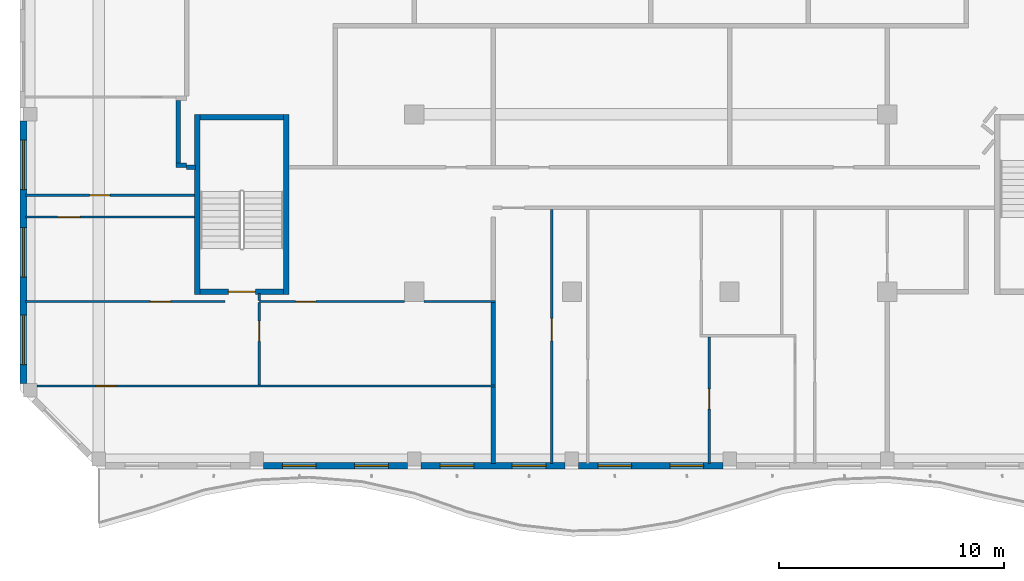
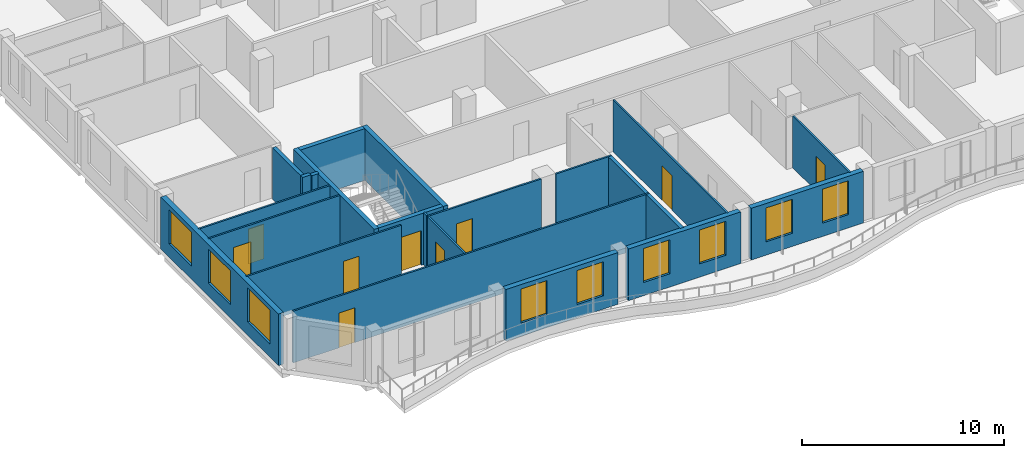
# One storey, part 2 of 17: 23 walls, 9 doors, 9 windows, 18 openings.
"""IFC4 building model written with IfcOpenShell, lengths in metres."""

from ifc_helpers import new_model, si_unit, direction, frame, frame_2d, origin, place, context, subcontext, project, spatial, rectangle, extrude, source, transform, mapped, material, layer, layer_set, type_object, element, fill, save


model = new_model("IFC4")

# Units and contexts
model_context = context("Model", 3, precision=1e-05, world=origin(), true_north=direction((0.0, 1.0)))
body_context = subcontext(model_context, "Body", "Model", "MODEL_VIEW")
ifc_project = project(units=[si_unit("LENGTHUNIT", "METRE"), si_unit("AREAUNIT", "SQUARE_METRE"), si_unit("VOLUMEUNIT", "CUBIC_METRE"), si_unit("PLANEANGLEUNIT", "RADIAN"), si_unit("MASSUNIT", "GRAM", prefix="KILO")], contexts=[model_context])

# Site, building, storey
site_placement = place(None, origin())
site = spatial("IfcSite", under=ifc_project, at=site_placement, CompositionType="ELEMENT")
building_placement = place(site_placement, origin())
building = spatial("IfcBuilding", under=site, at=building_placement, Name="Kilnfold Tower and Market Hall", CompositionType="ELEMENT")
storey_placement = place(building_placement, frame((0.0, 0.0, 305.199951171875)))
storey = spatial("IfcBuildingStorey", under=building, at=storey_placement, Name="L76", CompositionType="ELEMENT", Elevation=305.199951171875)

# Wall, opening, door
ifc_material_1 = material(Name="Gypsum board on steel studs", Category="steel")
ifc_layer_1 = layer(ifc_material_1, 0.10009765625)
ifc_layer_set_1 = layer_set([ifc_layer_1], Name="Gypsum board on steel studs")
wall_type_1 = type_object("IfcWallType", Name="WALL PARTITION 100", PredefinedType="PARTITIONING", material=ifc_layer_set_1)
wall_1_placement = place(storey_placement, frame((-24.75, -19.81201171875, 0.0), z_axis=(0.0, 0.0, 1.0), x_axis=(1.0, 0.0, 0.0)))
wall_1 = element("IfcWall", 1, at=wall_1_placement, inside=storey, type_object=wall_type_1, Name="Partition LY46.24", PredefinedType="PARTITIONING", context=body_context, shape_type="SweptSolid", body=[
    extrude(rectangle(XDim=20.35009765625, YDim=0.10009765625, at=frame_2d((10.175048828125, 0.0))), origin(), (0.0, 0.0, 1.0), 3.1201171875),
])
opening_1_placement = place(wall_1_placement, frame((2.6240234375, 0.0, 0.0)))
opening_1 = element("IfcOpeningElement", 2, at=opening_1_placement, cuts=wall_1, Name="Opening D2", PredefinedType="OPENING", context=body_context, shape_type="SweptSolid", body=[
    extrude(rectangle(XDim=0.89990234375, YDim=2.10009765625, at=frame_2d((0.449951171875, 1.050048828125))), frame((0.0, 0.06005859375, 0.0), z_axis=(0.0, -1.0, 0.0), x_axis=(1.0, 0.0, 0.0)), (0.0, 0.0, 1.0), 0.1201171875),
])
ifc_material_2 = material(Name="Timber veneer door leaf in steel frame", Category="steel")
door_type_1 = type_object("IfcDoorType", Name="DOOR ROOM 900 X2100", OperationType="NOTDEFINED", PredefinedType="DOOR", material=ifc_material_2)
door_1_placement = place(opening_1_placement, origin())
door_1 = element("IfcDoor", 3, at=door_1_placement, inside=storey, type_object=door_type_1, Name="Door D2", OperationType="SINGLE_SWING_LEFT", OverallHeight=2.10009765625, OverallWidth=0.89990234375, PredefinedType="DOOR", context=body_context, shape_type="SweptSolid", body=[
    extrude(rectangle(XDim=0.89990234375, YDim=2.10009765625, at=frame_2d((0.449951171875, 1.050048828125))), frame((0.0, 0.02490234375, 0.0), z_axis=(0.0, -1.0, 0.0), x_axis=(1.0, 0.0, 0.0)), (0.0, 0.0, 1.0), 0.050048828125),
])
fill(opening_1, door_1)

wall_2_placement = place(storey_placement, frame((-14.875, -19.761962890625, 0.0), z_axis=(0.0, 0.0, 1.0), x_axis=(0.0, 1.0, 0.0)))
wall_2 = element("IfcWall", 4, at=wall_2_placement, inside=storey, type_object=wall_type_1, Name="Partition LY46.26", PredefinedType="PARTITIONING", context=body_context, shape_type="SweptSolid", body=[
    extrude(rectangle(XDim=3.64990234375, YDim=0.10009765625, at=frame_2d((1.824951171875, 0.0))), origin(), (0.0, 0.0, 1.0), 3.1201171875),
])
opening_2_placement = place(wall_2_placement, frame((1.93701171875, 0.0, 0.0)))
opening_2 = element("IfcOpeningElement", 5, at=opening_2_placement, cuts=wall_2, Name="Opening D2", PredefinedType="OPENING", context=body_context, shape_type="SweptSolid", body=[
    extrude(rectangle(XDim=0.89990234375, YDim=2.10009765625, at=frame_2d((0.449951171875, 1.050048828125))), frame((0.0, 0.06005859375, 0.0), z_axis=(0.0, -1.0, 0.0), x_axis=(1.0, 0.0, 0.0)), (0.0, 0.0, 1.0), 0.1201171875),
])
door_2_placement = place(opening_2_placement, origin())
door_2 = element("IfcDoor", 6, at=door_2_placement, inside=storey, type_object=door_type_1, Name="Door D2", OperationType="SINGLE_SWING_RIGHT", OverallHeight=2.10009765625, OverallWidth=0.89990234375, PredefinedType="DOOR", context=body_context, shape_type="SweptSolid", body=[
    extrude(rectangle(XDim=0.89990234375, YDim=2.10009765625, at=frame_2d((0.449951171875, 1.050048828125))), frame((0.0, 0.02490234375, 0.0), z_axis=(0.0, -1.0, 0.0), x_axis=(1.0, 0.0, 0.0)), (0.0, 0.0, 1.0), 0.050048828125),
])
fill(opening_2, door_2)

wall_3_placement = place(storey_placement, frame((-25.25, -16.06201171875, 0.0), z_axis=(0.0, 0.0, 1.0), x_axis=(1.0, 0.0, 0.0)))
wall_3 = element("IfcWall", 7, at=wall_3_placement, inside=storey, type_object=wall_type_1, Name="Partition LY46.27", PredefinedType="PARTITIONING", context=body_context, shape_type="SweptSolid", body=[
    extrude(rectangle(XDim=8.85009765625, YDim=0.10009765625, at=frame_2d((4.425048828125, 0.0))), origin(), (0.0, 0.0, 1.0), 3.1201171875),
])
opening_3_placement = place(wall_3_placement, frame((5.534912109375, 0.0, 0.0)))
opening_3 = element("IfcOpeningElement", 8, at=opening_3_placement, cuts=wall_3, Name="Opening D2", PredefinedType="OPENING", context=body_context, shape_type="SweptSolid", body=[
    extrude(rectangle(XDim=0.89990234375, YDim=2.10009765625, at=frame_2d((0.449951171875, 1.050048828125))), frame((0.0, 0.06005859375, 0.0), z_axis=(0.0, -1.0, 0.0), x_axis=(1.0, 0.0, 0.0)), (0.0, 0.0, 1.0), 0.1201171875),
])
door_3_placement = place(opening_3_placement, origin())
door_3 = element("IfcDoor", 9, at=door_3_placement, inside=storey, type_object=door_type_1, Name="Door D2", OperationType="SINGLE_SWING_RIGHT", OverallHeight=2.10009765625, OverallWidth=0.89990234375, PredefinedType="DOOR", context=body_context, shape_type="SweptSolid", body=[
    extrude(rectangle(XDim=0.89990234375, YDim=2.10009765625, at=frame_2d((0.449951171875, 1.050048828125))), frame((0.0, 0.02490234375, 0.0), z_axis=(0.0, -1.0, 0.0), x_axis=(1.0, 0.0, 0.0)), (0.0, 0.0, 1.0), 0.050048828125),
])
fill(opening_3, door_3)

# Wall
wall_4_placement = place(storey_placement, frame((-7.574951171875, -16.06201171875, 0.0), z_axis=(0.0, 0.0, 1.0), x_axis=(1.0, 0.0, 0.0)))
element("IfcWall", 10, at=wall_4_placement, inside=storey, type_object=wall_type_1, Name="Partition LY46.28", PredefinedType="PARTITIONING", context=body_context, shape_type="SweptSolid", body=[
    extrude(rectangle(XDim=3.175048828125, YDim=0.10009765625, at=frame_2d((1.58740234375, 0.0))), origin(), (0.0, 0.0, 1.0), 3.1201171875),
])

# Wall, opening, door
wall_5_placement = place(storey_placement, frame((-14.875, -16.06201171875, 0.0), z_axis=(0.0, 0.0, 1.0), x_axis=(1.0, 0.0, 0.0)))
wall_5 = element("IfcWall", 11, at=wall_5_placement, inside=storey, type_object=wall_type_1, Name="Partition LY46.29", PredefinedType="PARTITIONING", context=body_context, shape_type="SweptSolid", body=[
    extrude(rectangle(XDim=6.449951171875, YDim=0.10009765625, at=frame_2d((3.22509765625, 0.0))), origin(), (0.0, 0.0, 1.0), 3.1201171875),
])
opening_4_placement = place(wall_5_placement, frame((1.614013671875, 0.0, 0.0)))
opening_4 = element("IfcOpeningElement", 12, at=opening_4_placement, cuts=wall_5, Name="Opening D2", PredefinedType="OPENING", context=body_context, shape_type="SweptSolid", body=[
    extrude(rectangle(XDim=0.89990234375, YDim=2.10009765625, at=frame_2d((0.449951171875, 1.050048828125))), frame((0.0, 0.06005859375, 0.0), z_axis=(0.0, -1.0, 0.0), x_axis=(1.0, 0.0, 0.0)), (0.0, 0.0, 1.0), 0.1201171875),
])
door_4_placement = place(opening_4_placement, origin())
door_4 = element("IfcDoor", 13, at=door_4_placement, inside=storey, type_object=door_type_1, Name="Door D2", OperationType="SINGLE_SWING_RIGHT", OverallHeight=2.10009765625, OverallWidth=0.89990234375, PredefinedType="DOOR", context=body_context, shape_type="SweptSolid", body=[
    extrude(rectangle(XDim=0.89990234375, YDim=2.10009765625, at=frame_2d((0.449951171875, 1.050048828125))), frame((0.0, 0.02490234375, 0.0), z_axis=(0.0, -1.0, 0.0), x_axis=(1.0, 0.0, 0.0)), (0.0, 0.0, 1.0), 0.050048828125),
])
fill(opening_4, door_4)

# Wall
wall_6_placement = place(storey_placement, frame((-14.875, -16.011962890625, 0.0), z_axis=(0.0, 0.0, 1.0), x_axis=(0.0, 1.0, 0.0)))
element("IfcWall", 14, at=wall_6_placement, inside=storey, type_object=wall_type_1, Name="Partition LY46.31", PredefinedType="PARTITIONING", context=body_context, shape_type="SweptSolid", body=[
    extrude(rectangle(XDim=0.31201171875, YDim=0.10009765625, at=frame_2d((0.156005859375, 0.0))), origin(), (0.0, 0.0, 1.0), 3.1201171875),
])

# Wall, opening, door
wall_7_placement = place(storey_placement, frame((-17.75, -12.31201171875, 0.0), z_axis=(0.0, 0.0, 1.0), x_axis=(-1.0, 0.0, 0.0)))
wall_7 = element("IfcWall", 15, at=wall_7_placement, inside=storey, type_object=wall_type_1, Name="Partition LY46.32", PredefinedType="PARTITIONING", context=body_context, shape_type="SweptSolid", body=[
    extrude(rectangle(XDim=7.5, YDim=0.10009765625, at=frame_2d((3.75, 0.0))), origin(), (0.0, 0.0, 1.0), 3.1201171875),
])
opening_5_placement = place(wall_7_placement, frame((5.080078125, 0.0, 0.0)))
opening_5 = element("IfcOpeningElement", 16, at=opening_5_placement, cuts=wall_7, Name="Opening D1", PredefinedType="OPENING", context=body_context, shape_type="SweptSolid", body=[
    extrude(rectangle(XDim=1.0, YDim=2.10009765625, at=frame_2d((0.5, 1.050048828125))), frame((0.0, 0.06005859375, 0.0), z_axis=(0.0, -1.0, 0.0), x_axis=(1.0, 0.0, 0.0)), (0.0, 0.0, 1.0), 0.1201171875),
])
ifc_material_3 = material(Name="Timber veneer door leaf in steel frame", Category="steel")
door_type_2 = type_object("IfcDoorType", Name="DOOR ENTRY 1000 X2100", OperationType="NOTDEFINED", PredefinedType="DOOR", material=ifc_material_3)
door_5_placement = place(opening_5_placement, origin())
door_5 = element("IfcDoor", 17, at=door_5_placement, inside=storey, type_object=door_type_2, Name="Door D1", OperationType="SINGLE_SWING_RIGHT", OverallHeight=2.10009765625, OverallWidth=1.0, PredefinedType="DOOR", context=body_context, shape_type="SweptSolid", body=[
    extrude(rectangle(XDim=1.0, YDim=2.10009765625, at=frame_2d((0.5, 1.050048828125))), frame((0.0, 0.02490234375, 0.0), z_axis=(0.0, -1.0, 0.0), x_axis=(1.0, 0.0, 0.0)), (0.0, 0.0, 1.0), 0.050048828125),
])
fill(opening_5, door_5)

wall_8_placement = place(storey_placement, frame((-17.75, -11.342041015625, 0.0), z_axis=(0.0, 0.0, 1.0), x_axis=(-1.0, 0.0, 0.0)))
wall_8 = element("IfcWall", 18, at=wall_8_placement, inside=storey, type_object=wall_type_1, Name="Partition LY46.34", PredefinedType="PARTITIONING", context=body_context, shape_type="SweptSolid", body=[
    extrude(rectangle(XDim=7.5, YDim=0.10009765625, at=frame_2d((3.75, 0.0))), origin(), (0.0, 0.0, 1.0), 3.1201171875),
])
opening_6_placement = place(wall_8_placement, frame((3.757080078125, 0.0, 0.0)))
opening_6 = element("IfcOpeningElement", 19, at=opening_6_placement, cuts=wall_8, Name="Opening D2", PredefinedType="OPENING", context=body_context, shape_type="SweptSolid", body=[
    extrude(rectangle(XDim=0.89990234375, YDim=2.10009765625, at=frame_2d((0.449951171875, 1.050048828125))), frame((0.0, 0.06005859375, 0.0), z_axis=(0.0, -1.0, 0.0), x_axis=(1.0, 0.0, 0.0)), (0.0, 0.0, 1.0), 0.1201171875),
])
door_6_placement = place(opening_6_placement, origin())
door_6 = element("IfcDoor", 20, at=door_6_placement, inside=storey, type_object=door_type_1, Name="Door D2", OperationType="SINGLE_SWING_LEFT", OverallHeight=2.10009765625, OverallWidth=0.89990234375, PredefinedType="DOOR", context=body_context, shape_type="SweptSolid", body=[
    extrude(rectangle(XDim=0.89990234375, YDim=2.10009765625, at=frame_2d((0.449951171875, 1.050048828125))), frame((0.0, 0.02490234375, 0.0), z_axis=(0.0, -1.0, 0.0), x_axis=(1.0, 0.0, 0.0)), (0.0, 0.0, 1.0), 0.050048828125),
])
fill(opening_6, door_6)

wall_9_placement = place(storey_placement, frame((-1.89990234375, -23.25, 0.0), z_axis=(0.0, 0.0, 1.0), x_axis=(0.0, 1.0, 0.0)))
wall_9 = element("IfcWall", 21, at=wall_9_placement, inside=storey, type_object=wall_type_1, Name="Partition LY46.46", PredefinedType="PARTITIONING", context=body_context, shape_type="SweptSolid", body=[
    extrude(rectangle(XDim=11.27294921875, YDim=0.10009765625, at=frame_2d((5.636474609375, 0.0))), origin(), (0.0, 0.0, 1.0), 3.1201171875),
])
opening_7_placement = place(wall_9_placement, frame((5.43896484375, 0.0, 0.0)))
opening_7 = element("IfcOpeningElement", 22, at=opening_7_placement, cuts=wall_9, Name="Opening D1", PredefinedType="OPENING", context=body_context, shape_type="SweptSolid", body=[
    extrude(rectangle(XDim=1.0, YDim=2.10009765625, at=frame_2d((0.5, 1.050048828125))), frame((0.0, 0.06005859375, 0.0), z_axis=(0.0, -1.0, 0.0), x_axis=(1.0, 0.0, 0.0)), (0.0, 0.0, 1.0), 0.1201171875),
])
door_7_placement = place(opening_7_placement, origin())
door_7 = element("IfcDoor", 23, at=door_7_placement, inside=storey, type_object=door_type_2, Name="Door D1", OperationType="SINGLE_SWING_LEFT", OverallHeight=2.10009765625, OverallWidth=1.0, PredefinedType="DOOR", context=body_context, shape_type="SweptSolid", body=[
    extrude(rectangle(XDim=1.0, YDim=2.10009765625, at=frame_2d((0.5, 1.050048828125))), frame((0.0, 0.02490234375, 0.0), z_axis=(0.0, -1.0, 0.0), x_axis=(1.0, 0.0, 0.0)), (0.0, 0.0, 1.0), 0.050048828125),
])
fill(opening_7, door_7)

wall_10_placement = place(storey_placement, frame((5.10009765625, -23.25, 0.0), z_axis=(0.0, 0.0, 1.0), x_axis=(0.0, 1.0, 0.0)))
wall_10 = element("IfcWall", 24, at=wall_10_placement, inside=storey, type_object=wall_type_1, Name="Partition LY46.48", PredefinedType="PARTITIONING", context=body_context, shape_type="SweptSolid", body=[
    extrude(rectangle(XDim=5.6240234375, YDim=0.10009765625, at=frame_2d((2.81201171875, 0.0))), origin(), (0.0, 0.0, 1.0), 3.1201171875),
])
opening_8_placement = place(wall_10_placement, frame((2.412109375, 0.0, 0.0)))
opening_8 = element("IfcOpeningElement", 25, at=opening_8_placement, cuts=wall_10, Name="Opening D2", PredefinedType="OPENING", context=body_context, shape_type="SweptSolid", body=[
    extrude(rectangle(XDim=0.89990234375, YDim=2.10009765625, at=frame_2d((0.449951171875, 1.050048828125))), frame((0.0, 0.06005859375, 0.0), z_axis=(0.0, -1.0, 0.0), x_axis=(1.0, 0.0, 0.0)), (0.0, 0.0, 1.0), 0.1201171875),
])
door_8_placement = place(opening_8_placement, origin())
door_8 = element("IfcDoor", 26, at=door_8_placement, inside=storey, type_object=door_type_1, Name="Door D2", OperationType="SINGLE_SWING_LEFT", OverallHeight=2.10009765625, OverallWidth=0.89990234375, PredefinedType="DOOR", context=body_context, shape_type="SweptSolid", body=[
    extrude(rectangle(XDim=0.89990234375, YDim=2.10009765625, at=frame_2d((0.449951171875, 1.050048828125))), frame((0.0, 0.02490234375, 0.0), z_axis=(0.0, -1.0, 0.0), x_axis=(1.0, 0.0, 0.0)), (0.0, 0.0, 1.0), 0.050048828125),
])
fill(opening_8, door_8)

# Walls
ifc_material_4 = material(Name="Gypsum board on steel studs", Category="steel")
ifc_layer_2 = layer(ifc_material_4, 0.199951171875)
ifc_layer_set_2 = layer_set([ifc_layer_2], Name="Gypsum board on steel studs")
wall_type_2 = type_object("IfcWallType", Name="WALL PARTY 200", PredefinedType="PARTITIONING", material=ifc_layer_set_2)
wall_11_placement = place(storey_placement, frame((-4.5, -23.25, 0.0), z_axis=(0.0, 0.0, 1.0), x_axis=(0.0, 1.0, 0.0)))
element("IfcWall", 27, at=wall_11_placement, inside=storey, type_object=wall_type_2, Name="Partition LY46.25", PredefinedType="PARTITIONING", context=body_context, shape_type="SweptSolid", body=[
    extrude(rectangle(XDim=3.387939453125, YDim=0.199951171875, at=frame_2d((1.69384765625, 0.0))), origin(), (0.0, 0.0, 1.0), 3.1201171875),
])
wall_12_placement = place(storey_placement, frame((-4.5, -19.761962890625, 0.0), z_axis=(0.0, 0.0, 1.0), x_axis=(0.0, 1.0, 0.0)))
element("IfcWall", 28, at=wall_12_placement, inside=storey, type_object=wall_type_2, Name="Partition LY46.30", PredefinedType="PARTITIONING", context=body_context, shape_type="SweptSolid", body=[
    extrude(rectangle(XDim=3.64990234375, YDim=0.199951171875, at=frame_2d((1.824951171875, 0.0))), origin(), (0.0, 0.0, 1.0), 3.1201171875),
])
wall_13_placement = place(storey_placement, frame((-18.48193359375, -9.902099609375, 0.0), z_axis=(0.0, 0.0, 1.0), x_axis=(0.0, 1.0, 0.0)))
element("IfcWall", 29, at=wall_13_placement, inside=storey, type_object=wall_type_2, Name="Partition LY46.37", PredefinedType="PARTITIONING", context=body_context, shape_type="SweptSolid", body=[
    extrude(rectangle(XDim=2.773193359375, YDim=0.199951171875, at=frame_2d((1.38671875, 0.0))), origin(), (0.0, 0.0, 1.0), 3.1201171875),
])
wall_14_placement = place(storey_placement, frame((-18.10009765625, -10.001953125, 0.0), z_axis=(0.0, 0.0, 1.0), x_axis=(-1.0, 0.0, 0.0)))
element("IfcWall", 30, at=wall_14_placement, inside=storey, type_object=wall_type_2, Name="Partition LY46.38", PredefinedType="PARTITIONING", context=body_context, shape_type="SweptSolid", body=[
    extrude(rectangle(XDim=0.48193359375, YDim=0.199951171875, at=frame_2d((0.240966796875, 0.0))), origin(), (0.0, 0.0, 1.0), 3.1201171875),
])
wall_15_placement = place(storey_placement, frame((-17.699951171875, -10.10009765625, 0.0), z_axis=(0.0, 0.0, 1.0), x_axis=(-1.0, 0.0, 0.0)))
element("IfcWall", 31, at=wall_15_placement, inside=storey, type_object=wall_type_2, Name="Partition LY46.39", PredefinedType="PARTITIONING", context=body_context, shape_type="SweptSolid", body=[
    extrude(rectangle(XDim=0.400146484375, YDim=0.199951171875, at=frame_2d((0.2001953125, 0.0))), origin(), (0.0, 0.0, 1.0), 3.1201171875),
])

# Wall, opening, door
ifc_material_5 = material(Name="Concrete C50", Category="concrete")
ifc_layer_3 = layer(ifc_material_5, 0.25)
ifc_layer_set_3 = layer_set([ifc_layer_3], Name="Concrete C50")
wall_type_3 = type_object("IfcWallType", Name="CORE WALL 250 C50", PredefinedType="SHEAR", material=ifc_layer_set_3)
shared_shape_1 = source(origin(), body_context, "Body", "SweptSolid", [
    extrude(rectangle(XDim=3.699951171875, YDim=0.25, at=frame_2d((1.85009765625, 0.0))), origin(), (0.0, 0.0, 1.0), 3.1201171875),
])
wall_16_placement = place(storey_placement, frame((-17.5, -15.625, 0.0), z_axis=(0.0, 0.0, 1.0), x_axis=(1.0, 0.0, 0.0)))
wall_16 = element("IfcWall", 32, at=wall_16_placement, inside=storey, type_object=wall_type_3, Name="Stair enclosure ST3", PredefinedType="SHEAR", context=body_context, shape_type="MappedRepresentation", body=[
    mapped(shared_shape_1, transform((0.0, 0.0, 0.0))),
])
opening_9_placement = place(wall_16_placement, frame((1.25, 0.0, 0.0)))
opening_9 = element("IfcOpeningElement", 33, at=opening_9_placement, cuts=wall_16, Name="Opening SD1", PredefinedType="OPENING", context=body_context, shape_type="SweptSolid", body=[
    extrude(rectangle(XDim=1.199951171875, YDim=2.10009765625, at=frame_2d((0.60009765625, 1.050048828125))), frame((0.0, 0.135009765625, 0.0), z_axis=(0.0, -1.0, 0.0), x_axis=(1.0, 0.0, 0.0)), (0.0, 0.0, 1.0), 0.27001953125),
])
ifc_material_6 = material(Name="Steel door set with fire-resisting leaf", Category="steel")
door_type_3 = type_object("IfcDoorType", Name="STAIR FLOOR DOOR 1200X2100", OperationType="NOTDEFINED", PredefinedType="DOOR", material=ifc_material_6)
door_9_placement = place(opening_9_placement, origin())
door_9 = element("IfcDoor", 34, at=door_9_placement, inside=storey, type_object=door_type_3, Name="Exit stair ST3 door", OperationType="DOUBLE_DOOR_SINGLE_SWING", OverallHeight=2.10009765625, OverallWidth=1.199951171875, PredefinedType="DOOR", context=body_context, shape_type="SweptSolid", body=[
    extrude(rectangle(XDim=1.199951171875, YDim=2.10009765625, at=frame_2d((0.60009765625, 1.050048828125))), frame((0.0, 0.02490234375, 0.0), z_axis=(0.0, -1.0, 0.0), x_axis=(1.0, 0.0, 0.0)), (0.0, 0.0, 1.0), 0.050048828125),
])
fill(opening_9, door_9)

# Walls
wall_17_placement = place(storey_placement, frame((-17.5, -7.875, 0.0), z_axis=(0.0, 0.0, 1.0), x_axis=(1.0, 0.0, 0.0)))
element("IfcWall", 35, at=wall_17_placement, inside=storey, type_object=wall_type_3, Name="Stair enclosure ST3", PredefinedType="SHEAR", context=body_context, shape_type="MappedRepresentation", body=[
    mapped(shared_shape_1, transform((0.0, 0.0, 0.0))),
])
shared_shape_2 = source(origin(), body_context, "Body", "SweptSolid", [
    extrude(rectangle(XDim=8.0, YDim=0.25, at=frame_2d((4.0, 0.0))), origin(), (0.0, 0.0, 1.0), 3.1201171875),
])
for number, where, z_axis, x_axis, name in (
    (36, (-17.625, -15.75, 0.0), (0.0, 0.0, 1.0), (0.0, 1.0, 0.0), "Stair enclosure ST3"),
    (37, (-13.675048828125, -15.75, 0.0), (0.0, 0.0, 1.0), (0.0, 1.0, 0.0), "Stair enclosure ST3"),
):
    element("IfcWall", number, at=place(storey_placement, frame(where, z_axis=z_axis, x_axis=x_axis)), inside=storey, type_object=wall_type_3, Name=name, PredefinedType="SHEAR", context=body_context, shape_type="MappedRepresentation", body=[
        mapped(shared_shape_2, transform((0.0, 0.0, 0.0))),
    ])

# Wall, openings, windows
ifc_material_7 = material(Name="Precast concrete C50/60", Category="concrete")
ifc_layer_4 = layer(ifc_material_7, 0.300048828125)
ifc_layer_set_4 = layer_set([ifc_layer_4], Name="Precast concrete C50/60")
wall_type_4 = type_object("IfcWallType", Name="PRECAST WALL 300", PredefinedType="SOLIDWALL", material=ifc_layer_set_4)
shared_shape_3 = source(origin(), body_context, "Body", "SweptSolid", [
    extrude(rectangle(XDim=6.39990234375, YDim=0.300048828125, at=frame_2d((3.199951171875, 0.0))), origin(), (0.0, 0.0, 1.0), 3.1201171875),
])
wall_18_placement = place(storey_placement, frame((-14.699951171875, -23.35009765625, 0.0), z_axis=(0.0, 0.0, 1.0), x_axis=(1.0, 0.0, 0.0)))
wall_18 = element("IfcWall", 38, at=wall_18_placement, inside=storey, type_object=wall_type_4, Name="External wall L76 S", PredefinedType="SOLIDWALL", context=body_context, shape_type="MappedRepresentation", body=[
    mapped(shared_shape_3, transform((0.0, 0.0, 0.0))),
])
opening_10_placement = place(wall_18_placement, frame((0.85009765625, 0.0, 0.800048828125)))
opening_10 = element("IfcOpeningElement", 39, at=opening_10_placement, cuts=wall_18, Name="Opening W5", PredefinedType="OPENING", context=body_context, shape_type="SweptSolid", body=[
    extrude(rectangle(XDim=1.5, YDim=2.050048828125, at=frame_2d((0.75, 1.02490234375))), frame((0.0, 0.16015625, 0.0), z_axis=(0.0, -1.0, 0.0), x_axis=(1.0, 0.0, 0.0)), (0.0, 0.0, 1.0), 0.320068359375),
])
opening_11_placement = place(wall_18_placement, frame((4.050048828125, 0.0, 0.800048828125)))
opening_11 = element("IfcOpeningElement", 40, at=opening_11_placement, cuts=wall_18, Name="Opening W5", PredefinedType="OPENING", context=body_context, shape_type="SweptSolid", body=[
    extrude(rectangle(XDim=1.5, YDim=2.050048828125, at=frame_2d((0.75, 1.02490234375))), frame((0.0, 0.16015625, 0.0), z_axis=(0.0, -1.0, 0.0), x_axis=(1.0, 0.0, 0.0)), (0.0, 0.0, 1.0), 0.320068359375),
])
ifc_material_8 = material(Name="Aluminium frame and double glazing", Category="aluminium")
window_type_1 = type_object("IfcWindowType", Name="WINDOW W5 1500X2050", PartitioningType="SINGLE_PANEL", PredefinedType="WINDOW", material=ifc_material_8)
window_1_placement = place(opening_10_placement, origin())
window_1 = element("IfcWindow", 41, at=window_1_placement, inside=storey, type_object=window_type_1, Name="Window W5 L76 S-1", OverallHeight=2.050048828125, OverallWidth=1.5, PartitioningType="SINGLE_PANEL", PredefinedType="WINDOW", context=body_context, shape_type="SweptSolid", body=[
    extrude(rectangle(XDim=1.5, YDim=2.050048828125, at=frame_2d((0.75, 1.02490234375))), frame((0.0, 0.030029296875, 0.0), z_axis=(0.0, -1.0, 0.0), x_axis=(1.0, 0.0, 0.0)), (0.0, 0.0, 1.0), 0.06005859375),
])
fill(opening_10, window_1)
window_2_placement = place(opening_11_placement, origin())
window_2 = element("IfcWindow", 42, at=window_2_placement, inside=storey, type_object=window_type_1, Name="Window W5 L76 S-2", OverallHeight=2.050048828125, OverallWidth=1.5, PartitioningType="SINGLE_PANEL", PredefinedType="WINDOW", context=body_context, shape_type="SweptSolid", body=[
    extrude(rectangle(XDim=1.5, YDim=2.050048828125, at=frame_2d((0.75, 1.02490234375))), frame((0.0, 0.030029296875, 0.0), z_axis=(0.0, -1.0, 0.0), x_axis=(1.0, 0.0, 0.0)), (0.0, 0.0, 1.0), 0.06005859375),
])
fill(opening_11, window_2)

wall_19_placement = place(storey_placement, frame((-7.699951171875, -23.35009765625, 0.0), z_axis=(0.0, 0.0, 1.0), x_axis=(1.0, 0.0, 0.0)))
wall_19 = element("IfcWall", 43, at=wall_19_placement, inside=storey, type_object=wall_type_4, Name="External wall L76 S", PredefinedType="SOLIDWALL", context=body_context, shape_type="MappedRepresentation", body=[
    mapped(shared_shape_3, transform((0.0, 0.0, 0.0))),
])
opening_12_placement = place(wall_19_placement, frame((0.85009765625, 0.0, 0.800048828125)))
opening_12 = element("IfcOpeningElement", 44, at=opening_12_placement, cuts=wall_19, Name="Opening W5", PredefinedType="OPENING", context=body_context, shape_type="SweptSolid", body=[
    extrude(rectangle(XDim=1.5, YDim=2.050048828125, at=frame_2d((0.75, 1.02490234375))), frame((0.0, 0.16015625, 0.0), z_axis=(0.0, -1.0, 0.0), x_axis=(1.0, 0.0, 0.0)), (0.0, 0.0, 1.0), 0.320068359375),
])
opening_13_placement = place(wall_19_placement, frame((4.050048828125, 0.0, 0.800048828125)))
opening_13 = element("IfcOpeningElement", 45, at=opening_13_placement, cuts=wall_19, Name="Opening W5", PredefinedType="OPENING", context=body_context, shape_type="SweptSolid", body=[
    extrude(rectangle(XDim=1.5, YDim=2.050048828125, at=frame_2d((0.75, 1.02490234375))), frame((0.0, 0.16015625, 0.0), z_axis=(0.0, -1.0, 0.0), x_axis=(1.0, 0.0, 0.0)), (0.0, 0.0, 1.0), 0.320068359375),
])
window_3_placement = place(opening_12_placement, origin())
window_3 = element("IfcWindow", 46, at=window_3_placement, inside=storey, type_object=window_type_1, Name="Window W5 L76 S-1", OverallHeight=2.050048828125, OverallWidth=1.5, PartitioningType="SINGLE_PANEL", PredefinedType="WINDOW", context=body_context, shape_type="SweptSolid", body=[
    extrude(rectangle(XDim=1.5, YDim=2.050048828125, at=frame_2d((0.75, 1.02490234375))), frame((0.0, 0.030029296875, 0.0), z_axis=(0.0, -1.0, 0.0), x_axis=(1.0, 0.0, 0.0)), (0.0, 0.0, 1.0), 0.06005859375),
])
fill(opening_12, window_3)
window_4_placement = place(opening_13_placement, origin())
window_4 = element("IfcWindow", 47, at=window_4_placement, inside=storey, type_object=window_type_1, Name="Window W5 L76 S-2", OverallHeight=2.050048828125, OverallWidth=1.5, PartitioningType="SINGLE_PANEL", PredefinedType="WINDOW", context=body_context, shape_type="SweptSolid", body=[
    extrude(rectangle(XDim=1.5, YDim=2.050048828125, at=frame_2d((0.75, 1.02490234375))), frame((0.0, 0.030029296875, 0.0), z_axis=(0.0, -1.0, 0.0), x_axis=(1.0, 0.0, 0.0)), (0.0, 0.0, 1.0), 0.06005859375),
])
fill(opening_13, window_4)

wall_20_placement = place(storey_placement, frame((-0.699951171875, -23.35009765625, 0.0), z_axis=(0.0, 0.0, 1.0), x_axis=(1.0, 0.0, 0.0)))
wall_20 = element("IfcWall", 48, at=wall_20_placement, inside=storey, type_object=wall_type_4, Name="External wall L76 S", PredefinedType="SOLIDWALL", context=body_context, shape_type="MappedRepresentation", body=[
    mapped(shared_shape_3, transform((0.0, 0.0, 0.0))),
])
opening_14_placement = place(wall_20_placement, frame((0.85009765625, 0.0, 0.800048828125)))
opening_14 = element("IfcOpeningElement", 49, at=opening_14_placement, cuts=wall_20, Name="Opening W5", PredefinedType="OPENING", context=body_context, shape_type="SweptSolid", body=[
    extrude(rectangle(XDim=1.5, YDim=2.050048828125, at=frame_2d((0.75, 1.02490234375))), frame((0.0, 0.16015625, 0.0), z_axis=(0.0, -1.0, 0.0), x_axis=(1.0, 0.0, 0.0)), (0.0, 0.0, 1.0), 0.320068359375),
])
opening_15_placement = place(wall_20_placement, frame((4.050048828125, 0.0, 0.800048828125)))
opening_15 = element("IfcOpeningElement", 50, at=opening_15_placement, cuts=wall_20, Name="Opening W5", PredefinedType="OPENING", context=body_context, shape_type="SweptSolid", body=[
    extrude(rectangle(XDim=1.5, YDim=2.050048828125, at=frame_2d((0.75, 1.02490234375))), frame((0.0, 0.16015625, 0.0), z_axis=(0.0, -1.0, 0.0), x_axis=(1.0, 0.0, 0.0)), (0.0, 0.0, 1.0), 0.320068359375),
])
window_5_placement = place(opening_14_placement, origin())
window_5 = element("IfcWindow", 51, at=window_5_placement, inside=storey, type_object=window_type_1, Name="Window W5 L76 S-1", OverallHeight=2.050048828125, OverallWidth=1.5, PartitioningType="SINGLE_PANEL", PredefinedType="WINDOW", context=body_context, shape_type="SweptSolid", body=[
    extrude(rectangle(XDim=1.5, YDim=2.050048828125, at=frame_2d((0.75, 1.02490234375))), frame((0.0, 0.030029296875, 0.0), z_axis=(0.0, -1.0, 0.0), x_axis=(1.0, 0.0, 0.0)), (0.0, 0.0, 1.0), 0.06005859375),
])
fill(opening_14, window_5)
window_6_placement = place(opening_15_placement, origin())
window_6 = element("IfcWindow", 52, at=window_6_placement, inside=storey, type_object=window_type_1, Name="Window W5 L76 S-2", OverallHeight=2.050048828125, OverallWidth=1.5, PartitioningType="SINGLE_PANEL", PredefinedType="WINDOW", context=body_context, shape_type="SweptSolid", body=[
    extrude(rectangle(XDim=1.5, YDim=2.050048828125, at=frame_2d((0.75, 1.02490234375))), frame((0.0, 0.030029296875, 0.0), z_axis=(0.0, -1.0, 0.0), x_axis=(1.0, 0.0, 0.0)), (0.0, 0.0, 1.0), 0.06005859375),
])
fill(opening_15, window_6)

shared_shape_4 = source(origin(), body_context, "Body", "SweptSolid", [
    extrude(rectangle(XDim=11.64990234375, YDim=0.300048828125, at=frame_2d((5.824951171875, 0.0))), origin(), (0.0, 0.0, 1.0), 3.1201171875),
])
wall_21_placement = place(storey_placement, frame((-25.35009765625, -8.050048828125, 0.0), z_axis=(0.0, 0.0, 1.0), x_axis=(0.0, -1.0, 0.0)))
wall_21 = element("IfcWall", 53, at=wall_21_placement, inside=storey, type_object=wall_type_4, Name="External wall L76 W", PredefinedType="SOLIDWALL", context=body_context, shape_type="MappedRepresentation", body=[
    mapped(shared_shape_4, transform((0.0, 0.0, 0.0))),
])
opening_16_placement = place(wall_21_placement, frame((0.841552734375, 0.0, 0.800048828125)))
opening_16 = element("IfcOpeningElement", 54, at=opening_16_placement, cuts=wall_21, Name="Opening W3", PredefinedType="OPENING", context=body_context, shape_type="SweptSolid", body=[
    extrude(rectangle(XDim=2.199951171875, YDim=2.050048828125, at=frame_2d((1.10009765625, 1.02490234375))), frame((0.0, 0.16015625, 0.0), z_axis=(0.0, -1.0, 0.0), x_axis=(1.0, 0.0, 0.0)), (0.0, 0.0, 1.0), 0.320068359375),
])
opening_17_placement = place(wall_21_placement, frame((4.72509765625, 0.0, 0.800048828125)))
opening_17 = element("IfcOpeningElement", 55, at=opening_17_placement, cuts=wall_21, Name="Opening W3", PredefinedType="OPENING", context=body_context, shape_type="SweptSolid", body=[
    extrude(rectangle(XDim=2.199951171875, YDim=2.050048828125, at=frame_2d((1.10009765625, 1.02490234375))), frame((0.0, 0.16015625, 0.0), z_axis=(0.0, -1.0, 0.0), x_axis=(1.0, 0.0, 0.0)), (0.0, 0.0, 1.0), 0.320068359375),
])
opening_18_placement = place(wall_21_placement, frame((8.6083984375, 0.0, 0.800048828125)))
opening_18 = element("IfcOpeningElement", 56, at=opening_18_placement, cuts=wall_21, Name="Opening W3", PredefinedType="OPENING", context=body_context, shape_type="SweptSolid", body=[
    extrude(rectangle(XDim=2.199951171875, YDim=2.050048828125, at=frame_2d((1.10009765625, 1.02490234375))), frame((0.0, 0.16015625, 0.0), z_axis=(0.0, -1.0, 0.0), x_axis=(1.0, 0.0, 0.0)), (0.0, 0.0, 1.0), 0.320068359375),
])
ifc_material_9 = material(Name="Aluminium frame and double glazing", Category="aluminium")
window_type_2 = type_object("IfcWindowType", Name="WINDOW W3 2200X2050", PartitioningType="SINGLE_PANEL", PredefinedType="WINDOW", material=ifc_material_9)
window_7_placement = place(opening_16_placement, origin())
window_7 = element("IfcWindow", 57, at=window_7_placement, inside=storey, type_object=window_type_2, Name="Window W3 L76 W-1", OverallHeight=2.050048828125, OverallWidth=2.199951171875, PartitioningType="SINGLE_PANEL", PredefinedType="WINDOW", context=body_context, shape_type="SweptSolid", body=[
    extrude(rectangle(XDim=2.199951171875, YDim=2.050048828125, at=frame_2d((1.10009765625, 1.02490234375))), frame((0.0, 0.030029296875, 0.0), z_axis=(0.0, -1.0, 0.0), x_axis=(1.0, 0.0, 0.0)), (0.0, 0.0, 1.0), 0.06005859375),
])
fill(opening_16, window_7)
window_8_placement = place(opening_17_placement, origin())
window_8 = element("IfcWindow", 58, at=window_8_placement, inside=storey, type_object=window_type_2, Name="Window W3 L76 W-2", OverallHeight=2.050048828125, OverallWidth=2.199951171875, PartitioningType="SINGLE_PANEL", PredefinedType="WINDOW", context=body_context, shape_type="SweptSolid", body=[
    extrude(rectangle(XDim=2.199951171875, YDim=2.050048828125, at=frame_2d((1.10009765625, 1.02490234375))), frame((0.0, 0.030029296875, 0.0), z_axis=(0.0, -1.0, 0.0), x_axis=(1.0, 0.0, 0.0)), (0.0, 0.0, 1.0), 0.06005859375),
])
fill(opening_17, window_8)
window_9_placement = place(opening_18_placement, origin())
window_9 = element("IfcWindow", 59, at=window_9_placement, inside=storey, type_object=window_type_2, Name="Window W3 L76 W-3", OverallHeight=2.050048828125, OverallWidth=2.199951171875, PartitioningType="SINGLE_PANEL", PredefinedType="WINDOW", context=body_context, shape_type="SweptSolid", body=[
    extrude(rectangle(XDim=2.199951171875, YDim=2.050048828125, at=frame_2d((1.10009765625, 1.02490234375))), frame((0.0, 0.030029296875, 0.0), z_axis=(0.0, -1.0, 0.0), x_axis=(1.0, 0.0, 0.0)), (0.0, 0.0, 1.0), 0.06005859375),
])
fill(opening_18, window_9)

save(model, "model.ifc")
